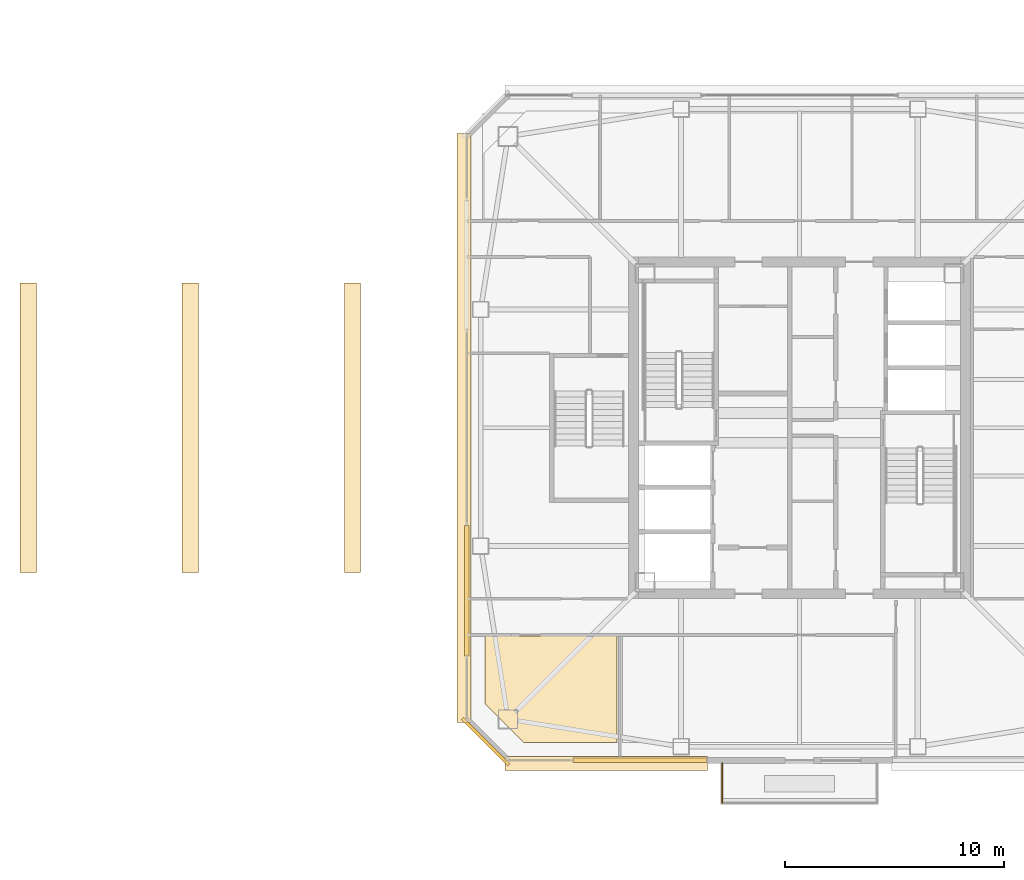
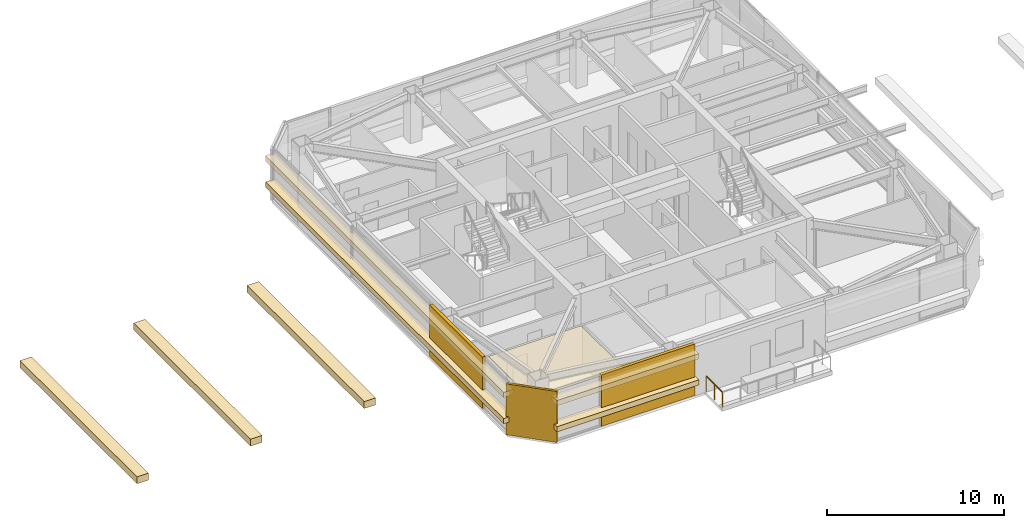
# One storey, part 28 of 31: 11 coverings, 1 railing.
"""IFC4 building model written with IfcOpenShell, lengths in metres."""

from ifc_helpers import new_model, si_unit, direction, frame, origin, origin_2d, place, context, subcontext, project, spatial, polyline, rectangle, outline, extrude, material, layer, layer_set, type_object, element, save


model = new_model("IFC4")

# Units and contexts
model_context = context("Model", 3, precision=1e-05, world=origin(), true_north=direction((0.0, 1.0)))
body_context = subcontext(model_context, "Body", "Model", "MODEL_VIEW")
ifc_project = project(units=[si_unit("LENGTHUNIT", "METRE"), si_unit("AREAUNIT", "SQUARE_METRE"), si_unit("VOLUMEUNIT", "CUBIC_METRE"), si_unit("PLANEANGLEUNIT", "RADIAN"), si_unit("MASSUNIT", "GRAM", prefix="KILO")], contexts=[model_context])

# Site, building, storey
site_placement = place(None, origin())
site = spatial("IfcSite", under=ifc_project, at=site_placement, CompositionType="ELEMENT")
building_placement = place(site_placement, origin())
building = spatial("IfcBuilding", under=site, at=building_placement, Name="Tashvorn Skyway Center", CompositionType="ELEMENT")
storey_placement = place(building_placement, frame((0.0, 0.0, 266.949951171875)))
storey = spatial("IfcBuildingStorey", under=building, at=storey_placement, Name="L72", CompositionType="ELEMENT", Elevation=266.949951171875)

# Coverings
ifc_material_1 = material(Name="Precast concrete C40/50", Category="concrete")
ifc_layer_1 = layer(ifc_material_1, 0.199951171875)
ifc_layer_set_1 = layer_set([ifc_layer_1], Name="Precast concrete C40/50")
covering_type_1 = type_object("IfcCoveringType", Name="COV-BRACE-CLAD", PredefinedType="CLADDING", material=ifc_layer_set_1)
covering_1_placement = place(storey_placement, frame((34.70654296875, 16.820068359375, 0.0), z_axis=(0.0, 0.0, 1.0), x_axis=(-1.0, 0.0, 0.0)))
element("IfcCovering", 1, at=covering_1_placement, inside=storey, type_object=covering_type_1, Name="Tower 1 L72 South Curtain Wall R Mega-Brace Cladding Band 1", PredefinedType="CLADDING", context=body_context, shape_type="SweptSolid", body=[
    extrude(rectangle(XDim=6.086669921875, YDim=0.199951171875, at=origin_2d()), origin(), (0.0, 0.0, 1.0), 3.550048828125),
])
covering_2_placement = place(storey_placement, frame((26.820068359375, 24.566650390625, 0.0), z_axis=(0.0, 0.0, 1.0), x_axis=(0.0, 1.0, 0.0)))
element("IfcCovering", 2, at=covering_2_placement, inside=storey, type_object=covering_type_1, Name="Tower 1 L72 West Unitised Curtain Wall Mega-Brace Cladding Band 1", PredefinedType="CLADDING", context=body_context, shape_type="SweptSolid", body=[
    extrude(rectangle(XDim=5.94677734375, YDim=0.199951171875, at=origin_2d()), origin(), (0.0, 0.0, 1.0), 3.550048828125),
])
ifc_material_2 = material(Name="Mineral-fibre acoustic ceiling tile on suspended grid")
ifc_layer_2 = layer(ifc_material_2, 0.02001953125)
ifc_layer_set_2 = layer_set([ifc_layer_2], Name="Mineral-fibre acoustic ceiling tile on suspended grid")
covering_type_2 = type_object("IfcCoveringType", Name="COV-CEIL-20", PredefinedType="CEILING", material=ifc_layer_set_2)
covering_3_placement = place(storey_placement, frame((0.0, 0.0, 2.703125)))
element("IfcCovering", 3, at=covering_3_placement, inside=storey, type_object=covering_type_2, Name="Tower 1 L72 Research Library Acoustic Ceiling", PredefinedType="CEILING", context=body_context, shape_type="SweptSolid", body=[
    extrude(outline(polyline([(27.64990234375, 22.510009765625), (33.679931640625, 22.510009765625), (33.679931640625, 17.64990234375), (29.409912109375, 17.64990234375), (27.64990234375, 19.409912109375), (27.64990234375, 22.510009765625)])), origin(), (0.0, 0.0, 1.0), 0.02001953125),
])
ifc_material_3 = material(Name="Perforated ceramic-coated bronze aluminium solar screen", Category="aluminium")
ifc_layer_3 = layer(ifc_material_3, 0.85009765625)
ifc_layer_set_3 = layer_set([ifc_layer_3], Name="Perforated ceramic-coated bronze aluminium solar screen")
covering_type_3 = type_object("IfcCoveringType", Name="COV-SOLAR-BAND", PredefinedType="CLADDING", material=ifc_layer_set_3)
for number, where, z_axis, x_axis, name in (
    (4, (33.18505859375, 16.679931640625, 0.919921875), (0.0, 0.0, 1.0), (-1.0, 0.0, 0.0), "L72 Perforated Ceramic-Metal Solar Screen Louvre Band South 1"),
    (5, (33.18505859375, 16.679931640625, 2.72021484375), (0.0, 0.0, 1.0), (-1.0, 0.0, 0.0), "L72 Perforated Ceramic-Metal Solar Screen Louvre Band South 2"),
):
    element("IfcCovering", number, at=place(storey_placement, frame(where, z_axis=z_axis, x_axis=x_axis)), inside=storey, type_object=covering_type_3, Name=name, PredefinedType="CLADDING", context=body_context, shape_type="SweptSolid", body=[
        extrude(rectangle(XDim=9.25, YDim=0.639892578125, at=origin_2d()), origin(), (0.0, 0.0, 1.0), 0.360107421875),
    ])
for number, where, z_axis, x_axis, name in (
    (6, (26.679931640625, 32.0, 0.919921875), (0.0, 0.0, 1.0), (0.0, 1.0, 0.0), "L72 Perforated Ceramic-Metal Solar Screen Louvre Band West 1"),
    (7, (26.679931640625, 32.0, 2.72021484375), (0.0, 0.0, 1.0), (0.0, 1.0, 0.0), "L72 Perforated Ceramic-Metal Solar Screen Louvre Band West 2"),
):
    element("IfcCovering", number, at=place(storey_placement, frame(where, z_axis=z_axis, x_axis=x_axis)), inside=storey, type_object=covering_type_3, Name=name, PredefinedType="CLADDING", context=body_context, shape_type="SweptSolid", body=[
        extrude(rectangle(XDim=26.8798828125, YDim=0.639892578125, at=origin_2d()), origin(), (0.0, 0.0, 1.0), 0.360107421875),
    ])
ifc_layer_4 = layer(ifc_material_1, 0.35009765625)
ifc_layer_set_4 = layer_set([ifc_layer_4], Name="Precast concrete C40/50")
covering_type_4 = type_object("IfcCoveringType", Name="COV-STONE-TRIM", PredefinedType="CLADDING", material=ifc_layer_set_4)
covering_4_placement = place(storey_placement, frame((27.679931640625, 17.679931640625, 0.02001953125), z_axis=(0.0, 0.0, 1.0), x_axis=(-0.707106781187, 0.707106781187, 0.0)))
element("IfcCovering", 8, at=covering_4_placement, inside=storey, type_object=covering_type_4, Name="Tower 1 L72 SW Mojave Limestone Corner Quoin", PredefinedType="CLADDING", context=body_context, shape_type="SweptSolid", body=[
    extrude(rectangle(XDim=2.98828125, YDim=0.139892578125, at=origin_2d()), origin(), (0.0, 0.0, 1.0), 3.510009765625),
])
for number, where, z_axis, x_axis, name in (
    (9, (6.800048828125, 32.0, -0.3798828125), (0.0, 0.0, 1.0), (1.0, 0.0, 0.0), "Sky-Park Promenade Terracotta Pergola Trellis 1"),
    (10, (14.199951171875, 32.0, -0.3798828125), (0.0, 0.0, 1.0), (1.0, 0.0, 0.0), "Sky-Park Promenade Terracotta Pergola Trellis 2"),
    (11, (21.60009765625, 32.0, -0.3798828125), (0.0, 0.0, 1.0), (1.0, 0.0, 0.0), "Sky-Park Promenade Terracotta Pergola Trellis 3"),
):
    element("IfcCovering", number, at=place(storey_placement, frame(where, z_axis=z_axis, x_axis=x_axis)), inside=storey, type_object=covering_type_4, Name=name, PredefinedType="CLADDING", context=body_context, shape_type="SweptSolid", body=[
        extrude(rectangle(XDim=0.75, YDim=13.199951171875, at=origin_2d()), origin(), (0.0, 0.0, 1.0), 0.47998046875),
    ])

# Railing
ifc_material_4 = material(Name="Galvanized steel S355", Category="steel")
railing_type = type_object("IfcRailingType", Name="RAIL-GUARD-1120", PredefinedType="GUARDRAIL", material=ifc_material_4)
railing_placement = place(storey_placement, frame((38.47998046875, 16.699951171875, 0.0)))
element("IfcRailing", 12, at=railing_placement, inside=storey, type_object=railing_type, Name="L72 Tower 1 Terrace Guardrail 01", PredefinedType="GUARDRAIL", context=body_context, shape_type="SweptSolid", body=[
    extrude(rectangle(XDim=0.048095703125, YDim=0.048095703125, at=origin_2d()), frame((0.0, 0.0, 1.09619140625), z_axis=(0.0, -1.0, 0.0), x_axis=(1.0, 0.0, 0.0)), (0.0, 0.0, 1.0), 1.820068359375),
    extrude(rectangle(XDim=0.0419921875, YDim=0.0419921875, at=origin_2d()), origin(), (0.0, 0.0, 1.0), 1.072021484375),
    extrude(rectangle(XDim=0.0419921875, YDim=0.0419921875, at=origin_2d()), frame((0.0, -0.91015625, 0.0)), (0.0, 0.0, 1.0), 1.072021484375),
    extrude(rectangle(XDim=0.0419921875, YDim=0.0419921875, at=origin_2d()), frame((0.0, -1.820068359375, 0.0)), (0.0, 0.0, 1.0), 1.072021484375),
])

save(model, "model.ifc")
